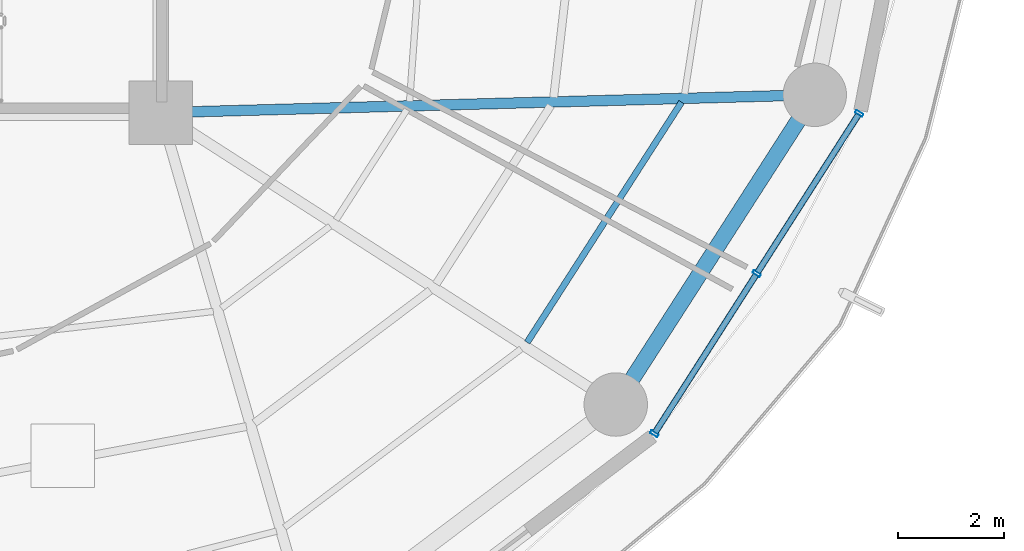
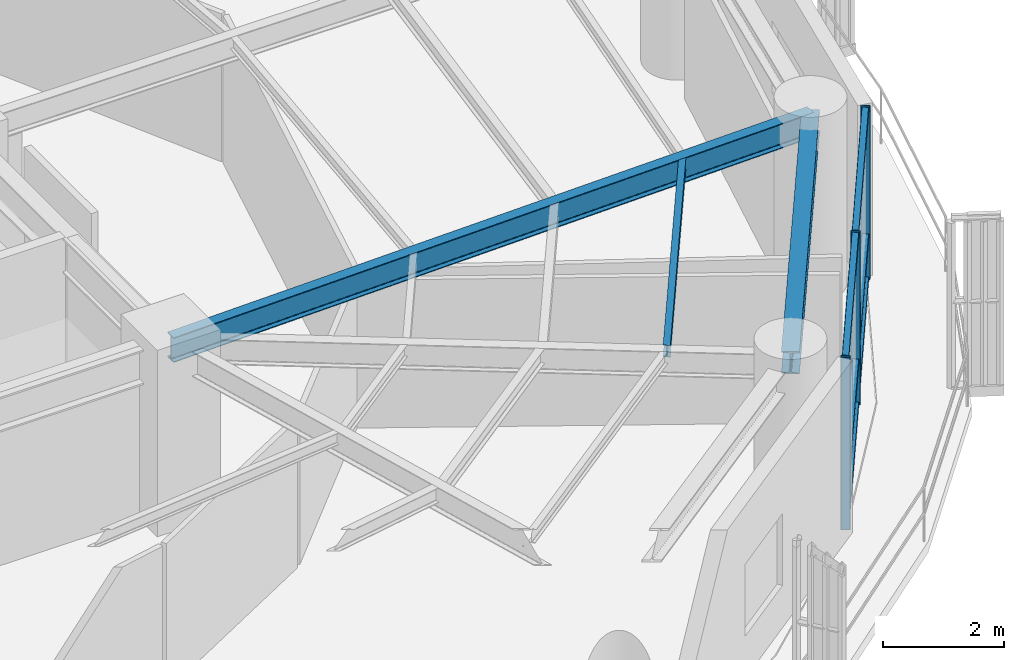
# One storey, part 11 of 29: 9 members, 3 beams, 1 element without a shape of its own.
"""IFC4 building model written with IfcOpenShell, lengths in metres."""

from ifc_helpers import new_model, si_unit, direction, frame, origin, origin_2d, place, context, subcontext, project, spatial, hollow_rectangle, i_section, extrude, material, layer, layer_set, material_profile, profile_set, type_object, element, aggregate, save


model = new_model("IFC4")

# Units and contexts
model_context = context("Model", 3, precision=1e-05, world=origin(), true_north=direction((0.0, 1.0)))
body_context = subcontext(model_context, "Body", "Model", "MODEL_VIEW")
ifc_project = project(units=[si_unit("LENGTHUNIT", "METRE"), si_unit("AREAUNIT", "SQUARE_METRE"), si_unit("VOLUMEUNIT", "CUBIC_METRE"), si_unit("PLANEANGLEUNIT", "RADIAN"), si_unit("MASSUNIT", "GRAM", prefix="KILO")], contexts=[model_context])

# Site, building, storey
site_placement = place(None, origin())
site = spatial("IfcSite", under=ifc_project, at=site_placement, CompositionType="ELEMENT")
building_placement = place(site_placement, origin())
building = spatial("IfcBuilding", under=site, at=building_placement, Name="Kelanora Arch Commons", CompositionType="ELEMENT")
storey_placement = place(building_placement, frame((0.0, 0.0, 135.60009765625)))
storey = spatial("IfcBuildingStorey", under=building, at=storey_placement, Name="L34", CompositionType="ELEMENT", Elevation=135.60009765625)

# Beams
ifc_material_1 = material(Name="Steel S355", Category="steel")
ifc_material_profile_1 = material_profile(ifc_material_1, i_section(OverallWidth=0.1201171875, OverallDepth=0.239990234375, WebThickness=0.006103515625, FlangeThickness=0.009765625, FilletRadius=0.014892578125, at=origin_2d()), Name="IPE240")
ifc_profile_set_1 = profile_set([ifc_material_profile_1], Name="Steel S355")
beam_type_1 = type_object("IfcBeamType", Name="BM-JST-02", PredefinedType="JOIST", material=ifc_profile_set_1)
beam_1_placement = place(storey_placement, frame((88.93212890625, 46.654296875, 3.369873046875), z_axis=(0.540581678156, 0.841291536414, 0.0), x_axis=(-0.841291536414, 0.540581678156, 0.0)))
element("IfcBeam", 1, at=beam_1_placement, inside=storey, type_object=beam_type_1, Name="Secondary Chord Joist BJC-32 L34", PredefinedType="JOIST", context=body_context, shape_type="SweptSolid", body=[
    extrude(i_section(OverallWidth=0.1201171875, OverallDepth=0.239990234375, WebThickness=0.006103515625, FlangeThickness=0.009765625, FilletRadius=0.014892578125, at=origin_2d()), origin(), (0.0, 0.0, 1.0), 5.4013671875),
])
ifc_material_profile_2 = material_profile(ifc_material_1, i_section(OverallWidth=0.199951171875, OverallDepth=0.5, WebThickness=0.01025390625, FlangeThickness=0.01611328125, FilletRadius=0.02099609375, at=origin_2d()), Name="IPE500")
ifc_profile_set_2 = profile_set([ifc_material_profile_2], Name="Steel S355")
beam_type_2 = type_object("IfcBeamType", Name="BM-RAD-Z3", PredefinedType="BEAM", material=ifc_profile_set_2)
beam_2_placement = place(storey_placement, frame((82.0, 51.0, 3.239990234375), z_axis=(0.999628374924, 0.027260081577, 0.0), x_axis=(-0.027260081577, 0.999628374924, 0.0)))
element("IfcBeam", 2, at=beam_2_placement, inside=storey, type_object=beam_type_2, Name="Radial Floor Girder BR-34 L34", PredefinedType="BEAM", context=body_context, shape_type="SweptSolid", body=[
    extrude(i_section(OverallWidth=0.199951171875, OverallDepth=0.5, WebThickness=0.01025390625, FlangeThickness=0.01611328125, FilletRadius=0.02099609375, at=origin_2d()), origin(), (0.0, 0.0, 1.0), 12.377197265625),
])
ifc_material_profile_3 = material_profile(ifc_material_1, i_section(OverallWidth=0.300048828125, OverallDepth=0.449951171875, WebThickness=0.013916015625, FlangeThickness=0.02587890625, FilletRadius=0.027099609375, at=origin_2d()), Name="HEB450")
ifc_profile_set_3 = profile_set([ifc_material_profile_3], Name="Steel S355")
beam_type_3 = type_object("IfcBeamType", Name="BM-SPN-Z3", PredefinedType="SPANDREL", material=ifc_profile_set_3)
beam_3_placement = place(storey_placement, frame((90.60791015625, 45.478515625, 3.264892578125), z_axis=(0.540576852469, 0.841294637196, 0.0), x_axis=(-0.841294637196, 0.540576852469, 0.0)))
element("IfcBeam", 3, at=beam_3_placement, inside=storey, type_object=beam_type_3, Name="Perimeter Spandrel Beam BS-32 L34", PredefinedType="SPANDREL", context=body_context, shape_type="SweptSolid", body=[
    extrude(i_section(OverallWidth=0.300048828125, OverallDepth=0.449951171875, WebThickness=0.013916015625, FlangeThickness=0.02587890625, FilletRadius=0.027099609375, at=origin_2d()), origin(), (0.0, 0.0, 1.0), 6.964111328125),
])

# Curtain wall, members
ifc_material_2 = material(Name="Terracotta ceramic-fritted low-E glass and aluminium", Category="masonry")
ifc_layer = layer(ifc_material_2, 0.175048828125)
ifc_layer_set = layer_set([ifc_layer], Name="Terracotta ceramic-fritted low-E glass and aluminium")
curtain_wall_type = type_object("IfcCurtainWallType", Name="CW-SYS-02", PredefinedType="NOTDEFINED", material=ifc_layer_set)
curtain_wall_placement = place(storey_placement, origin())
curtain_wall = element("IfcCurtainWall", 4, at=curtain_wall_placement, inside=storey, type_object=curtain_wall_type, Name="Unitised Curtain Wall L34-B16", PredefinedType="NOTDEFINED")
ifc_material_3 = material(Name="Powder-coated aluminium terracotta", Category="masonry")
ifc_material_profile_4 = material_profile(ifc_material_3, hollow_rectangle(XDim=0.159912109375, YDim=0.06005859375, WallThickness=0.0048828125, InnerFilletRadius=0.0048828125, OuterFilletRadius=0.010009765625, at=origin_2d()), Name="CWM160x60")
ifc_profile_set_4 = profile_set([ifc_material_profile_4], Name="Powder-coated aluminium terracotta")
member_type_1 = type_object("IfcMemberType", Name="CWM-STD", PredefinedType="MULLION", material=ifc_profile_set_4)
member_1_placement = place(storey_placement, frame((91.3369140625, 44.925048828125, 0.0), z_axis=(0.0, 0.0, 1.0), x_axis=(-0.842422846546, 0.538816988983, 0.0)))
member_1 = element("IfcMember", 5, at=member_1_placement, type_object=member_type_1, Name="CW-02 mullion 1", PredefinedType="MULLION", context=body_context, shape_type="SweptSolid", body=[
    extrude(hollow_rectangle(XDim=0.159912109375, YDim=0.06005859375, WallThickness=0.0048828125, InnerFilletRadius=0.0048828125, OuterFilletRadius=0.010009765625, at=origin_2d()), origin(), (0.0, 0.0, 1.0), 3.474853515625),
])
member_2_placement = place(storey_placement, frame((93.27490234375, 47.954833984375, 0.0), z_axis=(0.0, 0.0, 1.0), x_axis=(-0.842422846546, 0.538816988983, 0.0)))
member_2 = element("IfcMember", 6, at=member_2_placement, type_object=member_type_1, Name="CW-02 mullion 2", PredefinedType="MULLION", context=body_context, shape_type="SweptSolid", body=[
    extrude(hollow_rectangle(XDim=0.159912109375, YDim=0.06005859375, WallThickness=0.0048828125, InnerFilletRadius=0.0048828125, OuterFilletRadius=0.010009765625, at=origin_2d()), origin(), (0.0, 0.0, 1.0), 3.474853515625),
])
member_3_placement = place(storey_placement, frame((95.212890625, 50.98486328125, 0.0), z_axis=(0.0, 0.0, 1.0), x_axis=(-0.842422846546, 0.538816988983, 0.0)))
member_3 = element("IfcMember", 7, at=member_3_placement, type_object=member_type_1, Name="CW-02 mullion 3", PredefinedType="MULLION", context=body_context, shape_type="SweptSolid", body=[
    extrude(hollow_rectangle(XDim=0.159912109375, YDim=0.06005859375, WallThickness=0.0048828125, InnerFilletRadius=0.0048828125, OuterFilletRadius=0.010009765625, at=origin_2d()), origin(), (0.0, 0.0, 1.0), 3.474853515625),
])
ifc_material_profile_5 = material_profile(ifc_material_3, hollow_rectangle(XDim=0.1201171875, YDim=0.06005859375, WallThickness=0.0048828125, InnerFilletRadius=0.0048828125, OuterFilletRadius=0.010009765625, at=origin_2d()), Name="CWT120x60")
ifc_profile_set_5 = profile_set([ifc_material_profile_5], Name="Powder-coated aluminium terracotta")
member_type_2 = type_object("IfcMemberType", Name="CWT-STD", PredefinedType="USERDEFINED", material=ifc_profile_set_5)
member_4_placement = place(storey_placement, frame((91.35302734375, 44.9501953125, 0.02978515625), z_axis=(0.53883037555, 0.842414284295, 0.0), x_axis=(-0.842414284295, 0.53883037555, 0.0)))
member_4 = element("IfcMember", 8, at=member_4_placement, type_object=member_type_2, Name="CW-02 transom 1.1", ObjectType="TRANSOM", PredefinedType="USERDEFINED", context=body_context, shape_type="SweptSolid", body=[
    extrude(hollow_rectangle(XDim=0.1201171875, YDim=0.06005859375, WallThickness=0.0048828125, InnerFilletRadius=0.0048828125, OuterFilletRadius=0.010009765625, at=origin_2d()), origin(), (0.0, 0.0, 1.0), 3.536865234375),
])
member_5_placement = place(storey_placement, frame((91.35302734375, 44.9501953125, 0.89990234375), z_axis=(0.53883037555, 0.842414284295, 0.0), x_axis=(-0.842414284295, 0.53883037555, 0.0)))
member_5 = element("IfcMember", 9, at=member_5_placement, type_object=member_type_2, Name="CW-02 transom 1.2", ObjectType="TRANSOM", PredefinedType="USERDEFINED", context=body_context, shape_type="SweptSolid", body=[
    extrude(hollow_rectangle(XDim=0.1201171875, YDim=0.06005859375, WallThickness=0.0048828125, InnerFilletRadius=0.0048828125, OuterFilletRadius=0.010009765625, at=origin_2d()), origin(), (0.0, 0.0, 1.0), 3.536865234375),
])
member_6_placement = place(storey_placement, frame((91.35302734375, 44.9501953125, 3.44482421875), z_axis=(0.53883037555, 0.842414284295, 0.0), x_axis=(-0.842414284295, 0.53883037555, 0.0)))
member_6 = element("IfcMember", 10, at=member_6_placement, type_object=member_type_2, Name="CW-02 transom 1.3", ObjectType="TRANSOM", PredefinedType="USERDEFINED", context=body_context, shape_type="SweptSolid", body=[
    extrude(hollow_rectangle(XDim=0.1201171875, YDim=0.06005859375, WallThickness=0.0048828125, InnerFilletRadius=0.0048828125, OuterFilletRadius=0.010009765625, at=origin_2d()), origin(), (0.0, 0.0, 1.0), 3.536865234375),
])
member_7_placement = place(storey_placement, frame((93.291015625, 47.980224609375, 0.02978515625), z_axis=(0.53883037555, 0.842414284295, 0.0), x_axis=(-0.842414284295, 0.53883037555, 0.0)))
member_7 = element("IfcMember", 11, at=member_7_placement, type_object=member_type_2, Name="CW-02 transom 2.1", ObjectType="TRANSOM", PredefinedType="USERDEFINED", context=body_context, shape_type="SweptSolid", body=[
    extrude(hollow_rectangle(XDim=0.1201171875, YDim=0.06005859375, WallThickness=0.0048828125, InnerFilletRadius=0.0048828125, OuterFilletRadius=0.010009765625, at=origin_2d()), origin(), (0.0, 0.0, 1.0), 3.536865234375),
])
member_8_placement = place(storey_placement, frame((93.291015625, 47.980224609375, 0.89990234375), z_axis=(0.53883037555, 0.842414284295, 0.0), x_axis=(-0.842414284295, 0.53883037555, 0.0)))
member_8 = element("IfcMember", 12, at=member_8_placement, type_object=member_type_2, Name="CW-02 transom 2.2", ObjectType="TRANSOM", PredefinedType="USERDEFINED", context=body_context, shape_type="SweptSolid", body=[
    extrude(hollow_rectangle(XDim=0.1201171875, YDim=0.06005859375, WallThickness=0.0048828125, InnerFilletRadius=0.0048828125, OuterFilletRadius=0.010009765625, at=origin_2d()), origin(), (0.0, 0.0, 1.0), 3.536865234375),
])
member_9_placement = place(storey_placement, frame((93.291015625, 47.980224609375, 3.44482421875), z_axis=(0.53883037555, 0.842414284295, 0.0), x_axis=(-0.842414284295, 0.53883037555, 0.0)))
member_9 = element("IfcMember", 13, at=member_9_placement, type_object=member_type_2, Name="CW-02 transom 2.3", ObjectType="TRANSOM", PredefinedType="USERDEFINED", context=body_context, shape_type="SweptSolid", body=[
    extrude(hollow_rectangle(XDim=0.1201171875, YDim=0.06005859375, WallThickness=0.0048828125, InnerFilletRadius=0.0048828125, OuterFilletRadius=0.010009765625, at=origin_2d()), origin(), (0.0, 0.0, 1.0), 3.536865234375),
])
aggregate(curtain_wall, [member_1, member_2, member_3, member_4, member_5, member_6, member_7, member_8, member_9])

save(model, "model.ifc")
